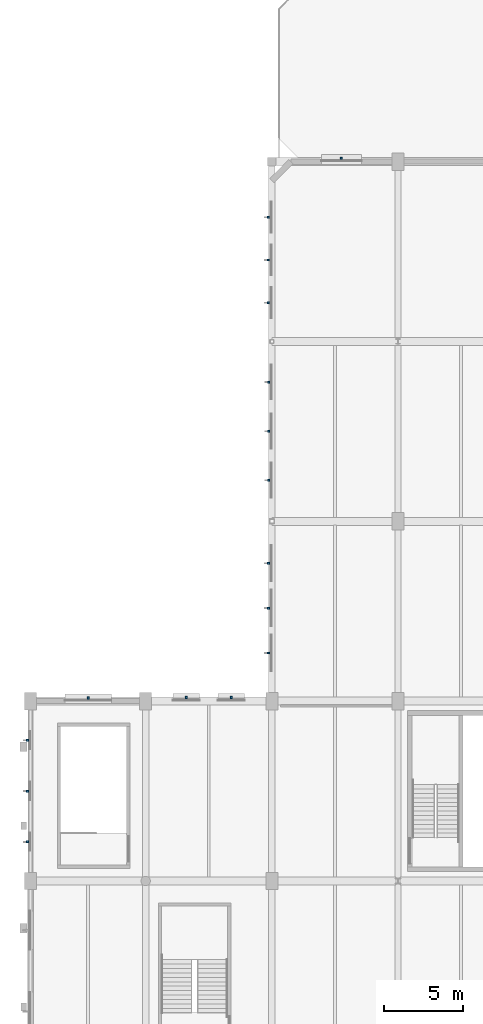
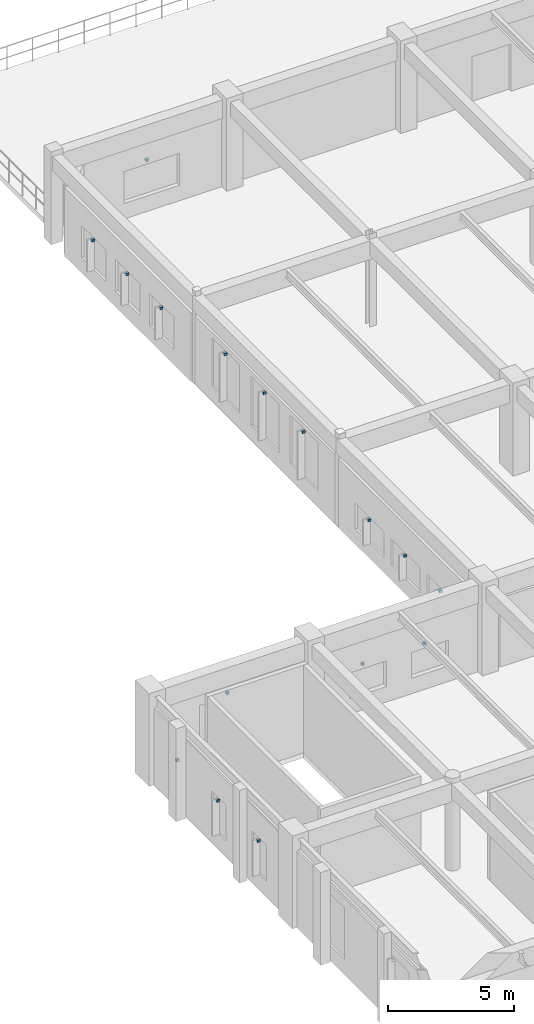
# One storey, part 73 of 80: 16 discrete accessories.
"""IFC4 building model written with IfcOpenShell, lengths in metres."""

from ifc_helpers import new_model, si_unit, direction, frame, origin, origin_2d, place, context, subcontext, project, spatial, rectangle, extrude, material, type_object, element, save


model = new_model("IFC4")

# Units and contexts
model_context = context("Model", 3, precision=1e-05, world=origin(), true_north=direction((0.0, 1.0)))
body_context = subcontext(model_context, "Body", "Model", "MODEL_VIEW")
ifc_project = project(units=[si_unit("LENGTHUNIT", "METRE"), si_unit("AREAUNIT", "SQUARE_METRE"), si_unit("VOLUMEUNIT", "CUBIC_METRE"), si_unit("PLANEANGLEUNIT", "RADIAN"), si_unit("MASSUNIT", "GRAM", prefix="KILO"), si_unit("POWERUNIT", "WATT"), si_unit("THERMODYNAMICTEMPERATUREUNIT", "KELVIN")], contexts=[model_context])

# Site, building, storey
site_placement = place(None, origin())
site = spatial("IfcSite", under=ifc_project, at=site_placement, CompositionType="ELEMENT")
building_placement = place(site_placement, origin())
building = spatial("IfcBuilding", under=site, at=building_placement, Name="Kelmbourne Parkland Aquatics Centre", CompositionType="ELEMENT")
storey_placement = place(building_placement, frame((0.0, 0.0, 10.199951171875)))
storey = spatial("IfcBuildingStorey", under=building, at=storey_placement, Name="L02", CompositionType="ELEMENT", Elevation=10.199951171875)

# Discrete accessories
ifc_material = material(Name="Hot-dip galvanised structural steel AS/NZS 4680", Category="steel")
discrete_accessory_type = type_object("IfcDiscreteAccessoryType", Name="ACC-BRK-1", PredefinedType="BRACKET", material=ifc_material)
for number, where, z_axis, x_axis, name in (
    (1, (0.5048828125, 37.47705078125, 2.340087890625), (0.0, 0.0, 1.0), (0.0, 1.0, 0.0), "Galvanised sunshade fixing bracket 135"),
    (2, (0.5048828125, 40.699951171875, 2.340087890625), (0.0, 0.0, 1.0), (0.0, 1.0, 0.0), "Galvanised sunshade fixing bracket 136"),
    (3, (0.5048828125, 43.923095703125, 2.340087890625), (0.0, 0.0, 1.0), (0.0, 1.0, 0.0), "Galvanised sunshade fixing bracket 137"),
    (4, (4.35009765625, 46.594970703125, 2.639892578125), (0.0, 0.0, 1.0), (1.0, 0.0, 0.0), "Galvanised sunshade fixing bracket 148"),
    (5, (10.576904296875, 46.635009765625, 1.840087890625), (0.0, 0.0, 1.0), (1.0, 0.0, 0.0), "Galvanised sunshade fixing bracket 149"),
    (6, (13.423095703125, 46.635009765625, 1.840087890625), (0.0, 0.0, 1.0), (1.0, 0.0, 0.0), "Galvanised sunshade fixing bracket 150"),
    (7, (15.784912109375, 49.451904296875, 1.840087890625), (0.0, 0.0, 1.0), (0.0, 1.0, 0.0), "Galvanised sunshade fixing bracket 151"),
    (8, (15.784912109375, 52.300048828125, 1.840087890625), (0.0, 0.0, 1.0), (0.0, 1.0, 0.0), "Galvanised sunshade fixing bracket 152"),
    (9, (15.784912109375, 55.14794921875, 1.840087890625), (0.0, 0.0, 1.0), (0.0, 1.0, 0.0), "Galvanised sunshade fixing bracket 153"),
    (10, (15.804931640625, 60.402099609375, 2.93994140625), (0.0, 0.0, 1.0), (0.0, 1.0, 0.0), "Galvanised sunshade fixing bracket 154"),
    (11, (15.804931640625, 63.512451171875, 2.93994140625), (0.0, 0.0, 1.0), (0.0, 1.0, 0.0), "Galvanised sunshade fixing bracket 155"),
    (12, (15.804931640625, 66.623046875, 2.93994140625), (0.0, 0.0, 1.0), (0.0, 1.0, 0.0), "Galvanised sunshade fixing bracket 156"),
    (13, (15.764892578125, 71.652099609375, 2.139892578125), (0.0, 0.0, 1.0), (0.0, 1.0, 0.0), "Galvanised sunshade fixing bracket 157"),
    (14, (15.764892578125, 74.363525390625, 2.139892578125), (0.0, 0.0, 1.0), (0.0, 1.0, 0.0), "Galvanised sunshade fixing bracket 158"),
    (15, (15.764892578125, 77.074951171875, 2.139892578125), (0.0, 0.0, 1.0), (0.0, 1.0, 0.0), "Galvanised sunshade fixing bracket 159"),
    (16, (20.41162109375, 80.81494140625, 2.139892578125), (0.0, 0.0, 1.0), (1.0, 0.0, 0.0), "Galvanised sunshade fixing bracket 160"),
):
    element("IfcDiscreteAccessory", number, at=place(storey_placement, frame(where, z_axis=z_axis, x_axis=x_axis)), inside=storey, type_object=discrete_accessory_type, Name=name, PredefinedType="BRACKET", context=body_context, shape_type="SweptSolid", body=[
        extrude(rectangle(XDim=0.1201171875, YDim=0.139892578125, at=origin_2d()), origin(), (0.0, 0.0, 1.0), 0.1201171875),
    ])

save(model, "model.ifc")
